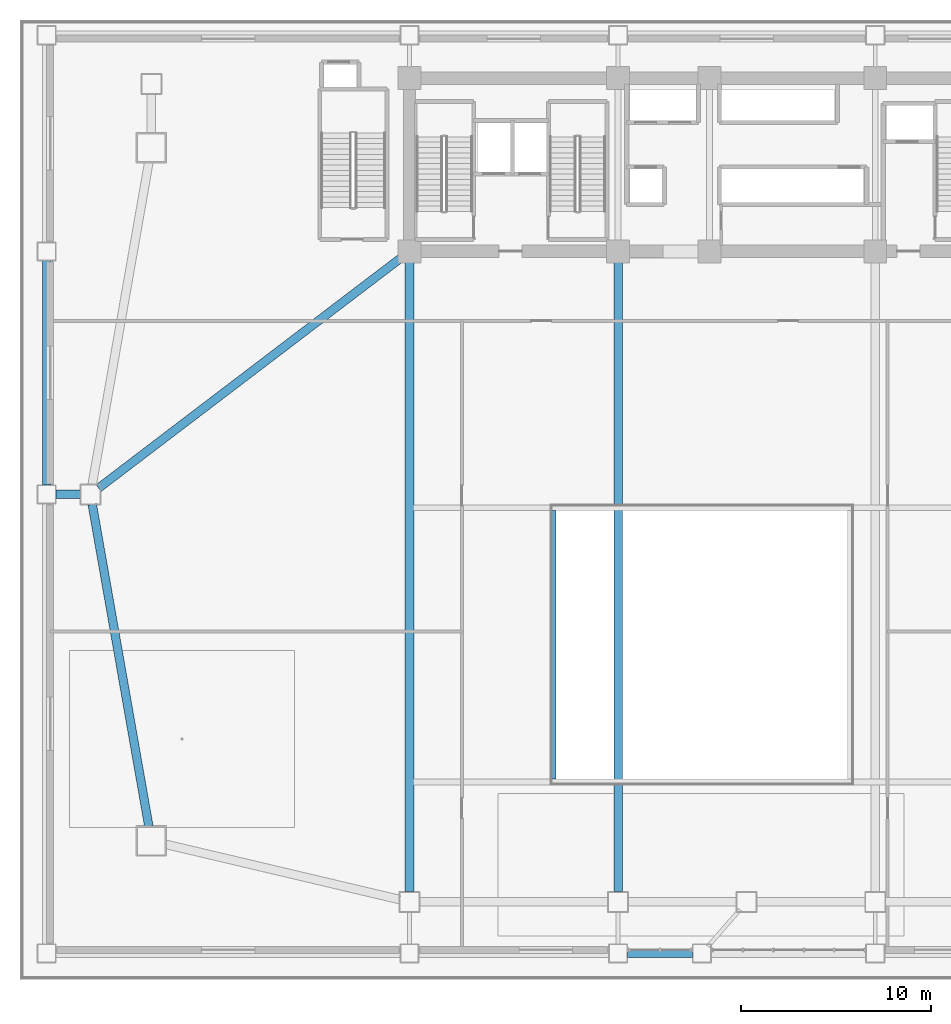
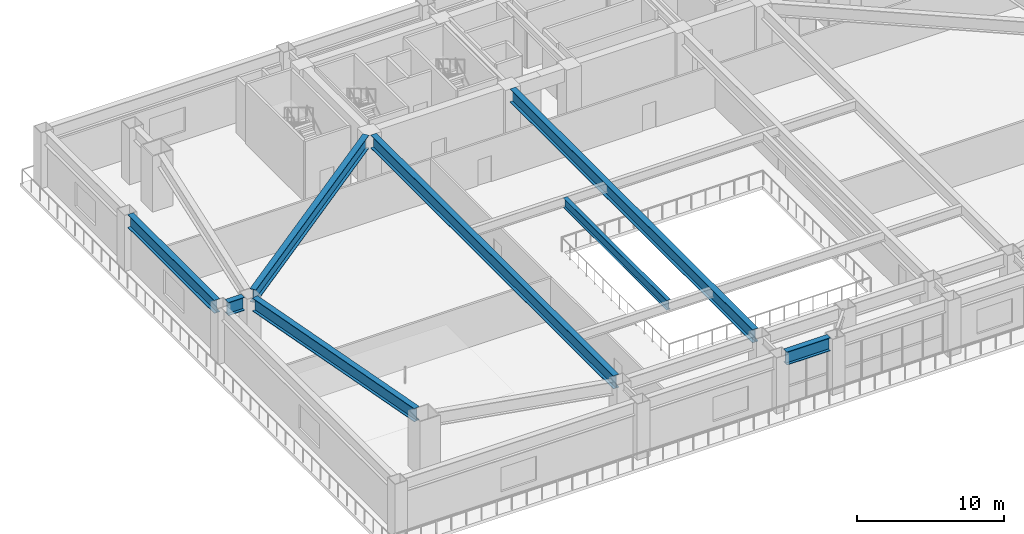
# One storey, part 3 of 14: 8 beams.
"""IFC4 building model written with IfcOpenShell, lengths in metres."""

import ifcopenshell
import ifcopenshell.guid

model = None  # the IFC model being written
_history = None  # IfcOwnerHistory: only IFC2X3 demands one
_inside = {}  # id of a spatial element -> (the spatial element, [elements in it])
_under = {}  # id of a project, library or spatial element -> (it, [spatial elements below it])
_declared = {}  # id of a project -> (the project, [libraries it declares])
_typed = {}  # id of a type object -> (the type object, [elements of that type])
_made_of = {}  # id of a material, layer set ... -> (it, [elements and type objects made of it])


def new_model(schema):
    """Start an empty IFC model of exactly this schema.

    Asked for "IFC4X3", IfcOpenShell would pick the latest addendum, in which some entities
    have other attributes; the version numbers below select the first issue.
    IFC2X3 requires an IfcOwnerHistory on every rooted entity: one is made here for all.
    """
    global model, _history
    if schema == "IFC4X3":
        model = ifcopenshell.file(schema_version=(4, 3, 0, 0))
    else:
        model = ifcopenshell.file(schema=schema)
    _inside.clear()
    _under.clear()
    _declared.clear()
    _typed.clear()
    _made_of.clear()
    _history = None
    if model.schema == "IFC2X3":
        org = make("IfcOrganization", Name="unknown")
        user = make(
            "IfcPersonAndOrganization",
            ThePerson=make("IfcPerson", FamilyName="unknown"),
            TheOrganization=org,
        )
        app = make(
            "IfcApplication",
            ApplicationDeveloper=org,
            Version="unknown",
            ApplicationFullName="unknown",
            ApplicationIdentifier="unknown",
        )
        _history = make(
            "IfcOwnerHistory",
            OwningUser=user,
            OwningApplication=app,
            ChangeAction="ADDED",
            CreationDate=0,
        )
    return model


def make(cls, **values):
    """One entity of the class cls with the attributes given. An attribute that is None is left unset."""
    return model.create_entity(
        cls, **{name: value for name, value in values.items() if value is not None}
    )


def rooted(cls, **values):
    """An entity with a GlobalId (a new one), such as an element, a storey or a relation."""
    return make(cls, GlobalId=ifcopenshell.guid.new(), OwnerHistory=_history, **values)


def si_unit(unit_type, name, prefix=None):
    """IfcSIUnit, for example si_unit("LENGTHUNIT", "METRE", prefix="MILLI")."""
    return make("IfcSIUnit", UnitType=unit_type, Prefix=prefix, Name=name)


def assignment(units):
    """IfcUnitAssignment: the units of a project."""
    return None if units is None else make("IfcUnitAssignment", Units=units)


def point(xyz):
    """IfcCartesianPoint."""
    return None if xyz is None else make("IfcCartesianPoint", Coordinates=xyz)


def direction(xyz):
    """IfcDirection."""
    return None if xyz is None else make("IfcDirection", DirectionRatios=xyz)


def frame(location, z_axis=None, x_axis=None):
    """IfcAxis2Placement3D, a coordinate frame: its origin and axes. An axis left out is left unset."""
    return make(
        "IfcAxis2Placement3D",
        Location=point(location),
        Axis=direction(z_axis),
        RefDirection=direction(x_axis),
    )


def frame_2d(location, x_axis=None):
    """IfcAxis2Placement2D, a coordinate frame in the plane: its origin and x axis."""
    return make(
        "IfcAxis2Placement2D", Location=point(location), RefDirection=direction(x_axis)
    )


def origin():
    """The frame at (0, 0, 0) with its axes left unset."""
    return frame((0.0, 0.0, 0.0))


def origin_2d():
    """The frame at (0, 0) in the plane with its x axis left unset."""
    return frame_2d((0.0, 0.0))


def place(relative_to, where):
    """IfcLocalPlacement: puts the frame where relative to a parent placement (None: the world)."""
    return make(
        "IfcLocalPlacement", PlacementRelTo=relative_to, RelativePlacement=where
    )


def context(
    kind, dimensions, precision=None, world=None, true_north=None, identifier=None
):
    """IfcGeometricRepresentationContext, for example the 3D "Model" context."""
    return make(
        "IfcGeometricRepresentationContext",
        ContextIdentifier=identifier,
        ContextType=kind,
        CoordinateSpaceDimension=dimensions,
        Precision=precision,
        WorldCoordinateSystem=world,
        TrueNorth=true_north,
    )


def subcontext(parent, identifier, kind, view, scale=None):
    """IfcGeometricRepresentationSubContext, for example "Body" below "Model"."""
    return make(
        "IfcGeometricRepresentationSubContext",
        ContextIdentifier=identifier,
        ContextType=kind,
        ParentContext=parent,
        TargetScale=scale,
        TargetView=view,
    )


def project(units=None, contexts=None):
    """IfcProject with its units and contexts."""
    return rooted(
        "IfcProject",
        Name="project",
        RepresentationContexts=contexts,
        UnitsInContext=assignment(units),
    )


def spatial(cls, under=None, at=None, **own):
    """A site, building, storey or space (cls), placed at a placement, below another one or the project."""
    s = rooted(cls, ObjectPlacement=at, **own)
    if under is not None:
        _under.setdefault(under.id(), (under, []))[1].append(s)
    return s


def profile(cls, at=None, kind="AREA", **sizes):
    """A parametric profile (cls). Its sizes go by their IFC names, for example OverallWidth=200.0."""
    return make(cls, ProfileType=kind, Position=at, **sizes)


def i_section(**sizes):
    """IfcIShapeProfileDef."""
    return profile("IfcIShapeProfileDef", **sizes)


def extrude(swept, where, along, depth):
    """IfcExtrudedAreaSolid: the profile swept, set in the frame where, extruded along a direction by depth."""
    return make(
        "IfcExtrudedAreaSolid",
        SweptArea=swept,
        Position=where,
        ExtrudedDirection=direction(along),
        Depth=depth,
    )


def shape(context_of_items, identifier, shape_type, items):
    """IfcShapeRepresentation: the items that make up one representation, for example the "Body"."""
    return make(
        "IfcShapeRepresentation",
        ContextOfItems=context_of_items,
        RepresentationIdentifier=identifier,
        RepresentationType=shape_type,
        Items=items,
    )


def source(mapping_origin, context_of_items, identifier, shape_type, items):
    """IfcRepresentationMap: a shape defined once, which mapped items show again and again."""
    return make(
        "IfcRepresentationMap",
        MappingOrigin=mapping_origin,
        MappedRepresentation=shape(context_of_items, identifier, shape_type, items),
    )


def transform(
    local_origin,
    x_axis=None,
    y_axis=None,
    z_axis=None,
    scale=None,
    scale2=None,
    scale3=None,
    uniform=True,
):
    """IfcCartesianTransformationOperator3D, or its non-uniform kind. x_axis, y_axis, z_axis: its Axis1, 2, 3."""
    if uniform:
        return make(
            "IfcCartesianTransformationOperator3D",
            Axis1=direction(x_axis),
            Axis2=direction(y_axis),
            LocalOrigin=point(local_origin),
            Scale=scale,
            Axis3=direction(z_axis),
        )
    return make(
        "IfcCartesianTransformationOperator3DnonUniform",
        Axis1=direction(x_axis),
        Axis2=direction(y_axis),
        LocalOrigin=point(local_origin),
        Scale=scale,
        Axis3=direction(z_axis),
        Scale2=scale2,
        Scale3=scale3,
    )


def mapped(mapping_source, mapping_target):
    """IfcMappedItem: shows the shape of a source again, moved by a transform."""
    return make(
        "IfcMappedItem", MappingSource=mapping_source, MappingTarget=mapping_target
    )


def material(Name=None, Category=None):
    """IfcMaterial."""
    return make("IfcMaterial", Name=Name, Category=Category)


def material_profile(
    of_material, cross_section, Name=None, Category=None, Priority=None
):
    """IfcMaterialProfile: a cross section and its material."""
    return make(
        "IfcMaterialProfile",
        Name=Name,
        Material=of_material,
        Profile=cross_section,
        Priority=Priority,
        Category=Category,
    )


def profile_set(profiles, Name=None, composite=None):
    """IfcMaterialProfileSet."""
    return make(
        "IfcMaterialProfileSet",
        Name=Name,
        MaterialProfiles=profiles,
        CompositeProfile=composite,
    )


def made_of(thing, what):
    """Note that an element or type object is made of a material, layer set ...; save() writes the relation."""
    if what is not None:
        _made_of.setdefault(what.id(), (what, []))[1].append(thing)
    return thing


def type_object(cls, material=None, **own):
    """A type object (cls), such as IfcWallType, which elements share."""
    return made_of(rooted(cls, **own), material)


def element(
    cls,
    number,
    at=None,
    inside=None,
    cuts=None,
    type_object=None,
    material=None,
    context=None,
    identifier="Body",
    shape_type=None,
    held_by="IfcProductDefinitionShape",
    body=None,
    shapes=None,
    **own,
):
    """One element of the class cls, such as IfcWall. Its Tag is "e" and its number.

    at: its placement. inside: the storey or other place that contains it. cuts: it is an
    opening in that element (IfcRelVoidsElement). A single representation is given by context,
    identifier, shape_type and body (its items); several are given by shapes. held_by: the class
    of the entity that holds the representations. save() writes the other relations.
    """
    e = rooted(cls, Tag="e%d" % number, ObjectPlacement=at, **own)
    if body is not None:
        shapes = [shape(context, identifier, shape_type, body)]
    if shapes is not None:
        e.Representation = make(held_by, Representations=shapes)
    if inside is not None:
        _inside.setdefault(inside.id(), (inside, []))[1].append(e)
    if cuts is not None:
        rooted(
            "IfcRelVoidsElement", RelatingBuildingElement=cuts, RelatedOpeningElement=e
        )
    if type_object is not None:
        _typed.setdefault(type_object.id(), (type_object, []))[1].append(e)
    return made_of(e, material)


def aggregate(whole, parts):
    """IfcRelAggregates: a whole, such as a stair, and the parts it consists of."""
    return rooted("IfcRelAggregates", RelatingObject=whole, RelatedObjects=parts)


def save(model, path):
    """Write the relations noted so far, then the file.

    IfcRelAggregates (storeys below a building ...), IfcRelContainedInSpatialStructure (elements
    in a storey), IfcRelDefinesByType, IfcRelAssociatesMaterial and IfcRelDeclares: one each for
    every whole, place, type object, material and project.
    """
    for whole, parts in _under.values():
        aggregate(whole, parts)
    for where, things in _inside.values():
        rooted(
            "IfcRelContainedInSpatialStructure",
            RelatedElements=things,
            RelatingStructure=where,
        )
    for kind, things in _typed.values():
        rooted("IfcRelDefinesByType", RelatedObjects=things, RelatingType=kind)
    for what, things in _made_of.values():
        rooted("IfcRelAssociatesMaterial", RelatedObjects=things, RelatingMaterial=what)
    for by, libraries in _declared.values():
        rooted("IfcRelDeclares", RelatingContext=by, RelatedDefinitions=libraries)
    model.write(path)


model = new_model("IFC4")

# Units and contexts
model_context = context("Model", 3, precision=1e-05, world=origin(), true_north=direction((0.0, 1.0)))
body_context = subcontext(model_context, "Body", "Model", "MODEL_VIEW")
ifc_project = project(units=[si_unit("LENGTHUNIT", "METRE"), si_unit("AREAUNIT", "SQUARE_METRE"), si_unit("VOLUMEUNIT", "CUBIC_METRE"), si_unit("PLANEANGLEUNIT", "RADIAN"), si_unit("MASSUNIT", "GRAM", prefix="KILO")], contexts=[model_context])

# Site, building, storey
site_placement = place(None, origin())
site = spatial("IfcSite", under=ifc_project, at=site_placement, CompositionType="ELEMENT")
building_placement = place(site_placement, origin())
building = spatial("IfcBuilding", under=site, at=building_placement, Name="Giltprow Tower", CompositionType="ELEMENT")
storey_placement = place(building_placement, frame((0.0, 0.0, 15.199951171875)))
storey = spatial("IfcBuildingStorey", under=building, at=storey_placement, Name="L04", CompositionType="ELEMENT", Elevation=15.199951171875)

# Beams
ifc_material_1 = material(Name="Structural steel Q420GJC", Category="steel")
ifc_material_profile_1 = material_profile(ifc_material_1, i_section(OverallWidth=0.449951171875, OverallDepth=1.10009765625, WebThickness=0.02587890625, FlangeThickness=0.0419921875, at=origin_2d()), Name="WH 1100x450x26x42")
ifc_profile_set_1 = profile_set([ifc_material_profile_1], Name="Structural steel Q420GJC")
beam_type_1 = type_object("IfcBeamType", Name="BM-GIRD-WH1100", PredefinedType="BEAM", material=ifc_profile_set_1)
shared_shape_1 = source(origin(), body_context, "Body", "SweptSolid", [
    extrude(i_section(OverallWidth=0.449951171875, OverallDepth=1.10009765625, WebThickness=0.02587890625, FlangeThickness=0.0419921875, at=origin_2d()), origin(), (0.0, 0.0, 1.0), 17.1591796875),
])
beam_1_placement = place(storey_placement, frame((3.193115234375, 24.173095703125, 4.10009765625), z_axis=(0.173139216532, -0.984897360997, 0.0), x_axis=(0.984897360997, 0.173139216532, 0.0)))
element("IfcBeam", 1, at=beam_1_placement, inside=storey, type_object=beam_type_1, Name="L04 Tower Base Ring Girder 12", PredefinedType="BEAM", context=body_context, shape_type="MappedRepresentation", body=[
    mapped(shared_shape_1, transform((0.0, 0.0, 0.0), x_axis=(1.0, 0.0, 0.0), y_axis=(0.0, 1.0, 0.0), z_axis=(0.0, 0.0, 1.0), scale=1.0)),
])
shared_shape_2 = source(origin(), body_context, "Body", "SweptSolid", [
    extrude(i_section(OverallWidth=0.449951171875, OverallDepth=1.10009765625, WebThickness=0.02587890625, FlangeThickness=0.0419921875, at=origin_2d()), origin(), (0.0, 0.0, 1.0), 33.030029296875),
])
for number, where, z_axis, x_axis, name in (
    (2, (19.85009765625, 3.8349609375, 4.10009765625), (0.0, 1.0, 0.0), (-1.0, 0.0, 0.0), "L04 Primary Podium Span Girder S1"),
    (3, (30.800048828125, 3.8349609375, 4.10009765625), (0.0, 1.0, 0.0), (-1.0, 0.0, 0.0), "L04 Primary Podium Span Girder S2"),
):
    element("IfcBeam", number, at=place(storey_placement, frame(where, z_axis=z_axis, x_axis=x_axis)), inside=storey, type_object=beam_type_1, Name=name, PredefinedType="BEAM", context=body_context, shape_type="MappedRepresentation", body=[
        mapped(shared_shape_2, transform((0.0, 0.0, 0.0), x_axis=(1.0, 0.0, 0.0), y_axis=(0.0, 1.0, 0.0), z_axis=(0.0, 0.0, 1.0), scale=1.0)),
    ])
shared_shape_3 = source(origin(), body_context, "Body", "SweptSolid", [
    extrude(i_section(OverallWidth=0.449951171875, OverallDepth=1.10009765625, WebThickness=0.02587890625, FlangeThickness=0.0419921875, at=origin_2d()), origin(), (0.0, 0.0, 1.0), 19.930908203125),
])
beam_2_placement = place(storey_placement, frame((3.52587890625, 25.02392578125, 4.10009765625), z_axis=(0.795700739064, 0.605689965124, 0.0), x_axis=(-0.605689965124, 0.795700739064, 0.0)))
element("IfcBeam", 4, at=beam_2_placement, inside=storey, type_object=beam_type_1, Name="L04 West Tie 2", PredefinedType="BEAM", context=body_context, shape_type="MappedRepresentation", body=[
    mapped(shared_shape_3, transform((0.0, 0.0, 0.0), x_axis=(1.0, 0.0, 0.0), y_axis=(0.0, 1.0, 0.0), z_axis=(0.0, 0.0, 1.0), scale=1.0)),
])
shared_shape_4 = source(origin(), body_context, "Body", "SweptSolid", [
    extrude(i_section(OverallWidth=0.449951171875, OverallDepth=1.10009765625, WebThickness=0.02587890625, FlangeThickness=0.0419921875, at=origin_2d()), origin(), (0.0, 0.0, 1.0), 3.43017578125),
])
beam_3_placement = place(storey_placement, frame((31.284912109375, 0.60009765625, 4.10009765625), z_axis=(1.0, 0.0, 0.0), x_axis=(0.0, 1.0, 0.0)))
element("IfcBeam", 5, at=beam_3_placement, inside=storey, type_object=beam_type_1, Name="L04 Podium South Edge Girder", PredefinedType="BEAM", context=body_context, shape_type="MappedRepresentation", body=[
    mapped(shared_shape_4, transform((0.0, 0.0, 0.0), x_axis=(1.0, 0.0, 0.0), y_axis=(0.0, 1.0, 0.0), z_axis=(0.0, 0.0, 1.0), scale=1.0)),
])
shared_shape_5 = source(origin(), body_context, "Body", "SweptSolid", [
    extrude(i_section(OverallWidth=0.449951171875, OverallDepth=1.10009765625, WebThickness=0.02587890625, FlangeThickness=0.0419921875, at=origin_2d()), origin(), (0.0, 0.0, 1.0), 11.780029296875),
])
beam_4_placement = place(storey_placement, frame((0.800048828125, 25.18505859375, 4.10009765625), z_axis=(0.0, 1.0, 0.0), x_axis=(-1.0, 0.0, 0.0)))
element("IfcBeam", 6, at=beam_4_placement, inside=storey, type_object=beam_type_1, Name="L04 Podium Side Girder", PredefinedType="BEAM", context=body_context, shape_type="MappedRepresentation", body=[
    mapped(shared_shape_5, transform((0.0, 0.0, 0.0), x_axis=(1.0, 0.0, 0.0), y_axis=(0.0, 1.0, 0.0), z_axis=(0.0, 0.0, 1.0), scale=1.0)),
])
shared_shape_6 = source(origin(), body_context, "Body", "SweptSolid", [
    extrude(i_section(OverallWidth=0.449951171875, OverallDepth=1.10009765625, WebThickness=0.02587890625, FlangeThickness=0.0419921875, at=origin_2d()), origin(), (0.0, 0.0, 1.0), 1.280029296875),
])
beam_5_placement = place(storey_placement, frame((1.284912109375, 24.699951171875, 4.10009765625), z_axis=(1.0, 0.0, 0.0), x_axis=(0.0, 1.0, 0.0)))
element("IfcBeam", 7, at=beam_5_placement, inside=storey, type_object=beam_type_1, Name="L04 West Tie 1", PredefinedType="BEAM", context=body_context, shape_type="MappedRepresentation", body=[
    mapped(shared_shape_6, transform((0.0, 0.0, 0.0), x_axis=(1.0, 0.0, 0.0), y_axis=(0.0, 1.0, 0.0), z_axis=(0.0, 0.0, 1.0), scale=1.0)),
])
ifc_material_2 = material(Name="Structural steel Q355B", Category="steel")
ifc_material_profile_2 = material_profile(ifc_material_2, i_section(OverallWidth=0.300048828125, OverallDepth=0.800048828125, WebThickness=0.013916015625, FlangeThickness=0.02587890625, at=origin_2d()), Name="HN 800x300x14x26")
ifc_profile_set_2 = profile_set([ifc_material_profile_2], Name="Structural steel Q355B")
beam_type_2 = type_object("IfcBeamType", Name="BM-GIRD-HN800", PredefinedType="BEAM", material=ifc_profile_set_2)
shared_shape_7 = source(origin(), body_context, "Body", "SweptSolid", [
    extrude(i_section(OverallWidth=0.300048828125, OverallDepth=0.800048828125, WebThickness=0.013916015625, FlangeThickness=0.02587890625, at=origin_2d()), origin(), (0.0, 0.0, 1.0), 14.10009765625),
])
beam_6_placement = place(storey_placement, frame((27.39990234375, 9.75, 4.25), z_axis=(0.0, 1.0, 0.0), x_axis=(-1.0, 0.0, 0.0)))
element("IfcBeam", 8, at=beam_6_placement, inside=storey, type_object=beam_type_2, Name="L04 Atrium Edge Girder W", PredefinedType="BEAM", context=body_context, shape_type="MappedRepresentation", body=[
    mapped(shared_shape_7, transform((0.0, 0.0, 0.0), x_axis=(1.0, 0.0, 0.0), y_axis=(0.0, 1.0, 0.0), z_axis=(0.0, 0.0, 1.0), scale=1.0)),
])

save(model, "model.ifc")
